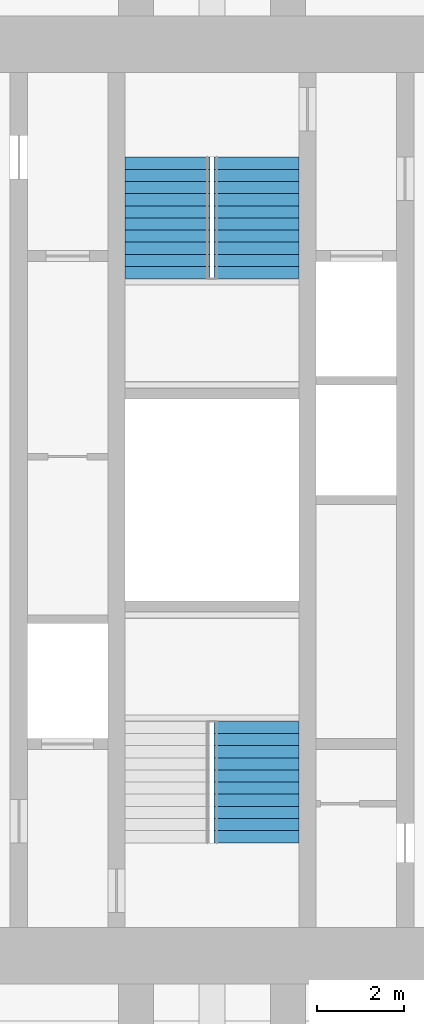
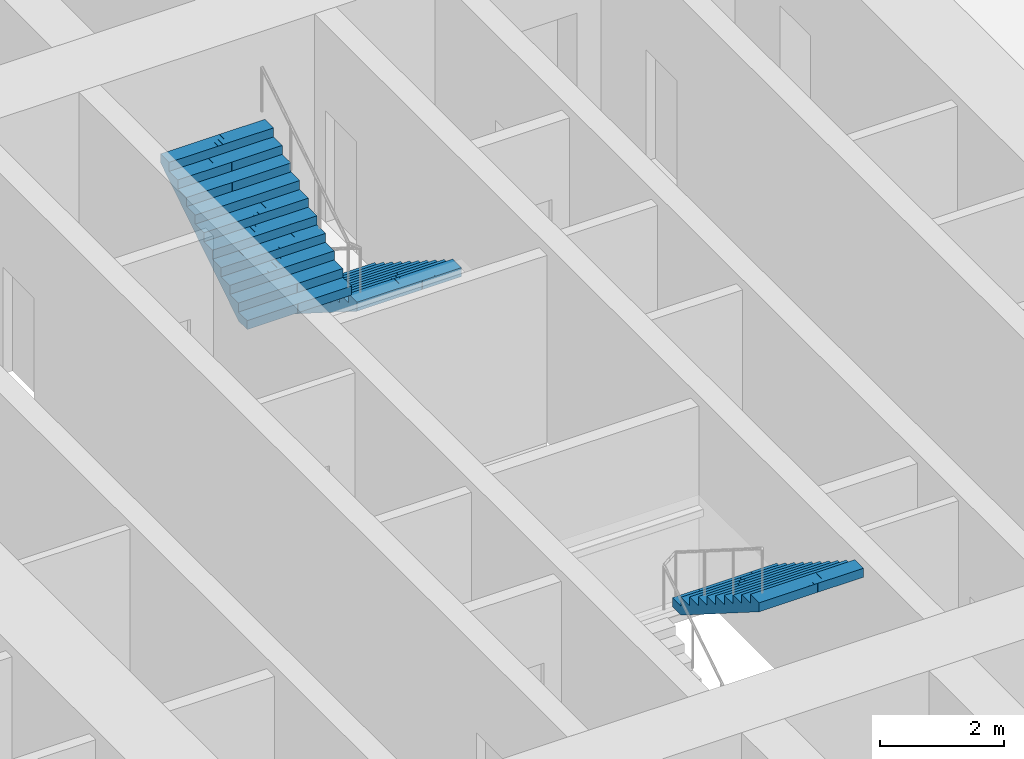
# One storey, part 16 of 17: 3 stair flights, 2 elements without a shape of their own.
"""IFC4 building model written with IfcOpenShell, lengths in metres."""

from ifc_helpers import new_model, si_unit, direction, frame, origin, place, context, subcontext, project, spatial, polyline, outline, extrude, material, type_object, element, aggregate, save


model = new_model("IFC4")

# Units and contexts
model_context = context("Model", 3, precision=1e-05, world=origin(), true_north=direction((0.0, 1.0)))
body_context = subcontext(model_context, "Body", "Model", "MODEL_VIEW")
ifc_project = project(units=[si_unit("LENGTHUNIT", "METRE"), si_unit("AREAUNIT", "SQUARE_METRE"), si_unit("VOLUMEUNIT", "CUBIC_METRE"), si_unit("PLANEANGLEUNIT", "RADIAN"), si_unit("MASSUNIT", "GRAM", prefix="KILO")], contexts=[model_context])

# Site, building, storey
site_placement = place(None, origin())
site = spatial("IfcSite", under=ifc_project, at=site_placement, CompositionType="ELEMENT")
building_placement = place(site_placement, origin())
building = spatial("IfcBuilding", under=site, at=building_placement, Name="Mizan Broadcast Tower", CompositionType="ELEMENT")
storey_placement = place(building_placement, frame((0.0, 0.0, 216.60009765625)))
storey = spatial("IfcBuildingStorey", under=building, at=storey_placement, Name="L50", CompositionType="ELEMENT", Elevation=216.60009765625)

# Stair, stair flight
ifc_material_1 = material(Name="Concrete C40/50", Category="concrete")
stair_type = type_object("IfcStairType", Name="EXIT STAIR", PredefinedType="HALF_TURN_STAIR", material=ifc_material_1)
stair_1_placement = place(storey_placement, origin())
stair_1 = element("IfcStair", 1, at=stair_1_placement, inside=storey, type_object=stair_type, Name="Stair A L50", PredefinedType="HALF_TURN_STAIR")
ifc_material_2 = material(Name="Concrete C40/50", Category="concrete")
stair_flight_type = type_object("IfcStairFlightType", Name="EXIT STAIR FLIGHT", PredefinedType="STRAIGHT", material=ifc_material_2)
stair_flight_1_placement = place(storey_placement, frame((1.02490234375, -5.10009765625, 1.949951171875), z_axis=(0.0, 0.0, 1.0), x_axis=(0.0, -1.0, 0.0)))
stair_flight_1 = element("IfcStairFlight", 2, at=stair_flight_1_placement, type_object=stair_flight_type, Name="A flight 2", NumberOfRisers=11, NumberOfTreads=10, PredefinedType="STRAIGHT", RiserHeight=0.177272727, TreadLength=0.28, context=body_context, shape_type="SweptSolid", body=[
    extrude(outline(polyline([(0.0, 0.0), (0.0, 0.17724609375), (0.280029296875, 0.17724609375), (0.280029296875, 0.3544921875), (0.56005859375, 0.3544921875), (0.56005859375, 0.53173828125), (0.840087890625, 0.53173828125), (0.840087890625, 0.708984375), (1.1201171875, 0.708984375), (1.1201171875, 0.886474609375), (1.39990234375, 0.886474609375), (1.39990234375, 1.063720703125), (1.679931640625, 1.063720703125), (1.679931640625, 1.240966796875), (1.9599609375, 1.240966796875), (1.9599609375, 1.418212890625), (2.239990234375, 1.418212890625), (2.239990234375, 1.595458984375), (2.52001953125, 1.595458984375), (2.52001953125, 1.772705078125), (2.800048828125, 1.772705078125), (2.800048828125, 1.949951171875), (2.800048828125, 1.59521484375), (0.2802734375, 0.0), (0.0, 0.0)])), frame((0.0, 0.97509765625, 0.0), z_axis=(0.0, -1.0, 0.0), x_axis=(1.0, 0.0, 0.0)), (0.0, 0.0, 1.0), 0.4873046875),
    extrude(outline(polyline([(0.0, 0.0), (0.0, 0.17724609375), (0.280029296875, 0.17724609375), (0.280029296875, 0.3544921875), (0.56005859375, 0.3544921875), (0.56005859375, 0.53173828125), (0.840087890625, 0.53173828125), (0.840087890625, 0.708984375), (1.1201171875, 0.708984375), (1.1201171875, 0.886474609375), (1.39990234375, 0.886474609375), (1.39990234375, 1.063720703125), (1.679931640625, 1.063720703125), (1.679931640625, 1.240966796875), (1.9599609375, 1.240966796875), (1.9599609375, 1.418212890625), (2.239990234375, 1.418212890625), (2.239990234375, 1.595458984375), (2.52001953125, 1.595458984375), (2.52001953125, 1.772705078125), (2.800048828125, 1.772705078125), (2.800048828125, 1.949951171875), (2.800048828125, 1.59521484375), (0.2802734375, 0.0), (0.0, 0.0)])), frame((0.0, 0.4873046875, 0.0), z_axis=(0.0, -1.0, 0.0), x_axis=(1.0, 0.0, 0.0)), (0.0, 0.0, 1.0), 0.2431640625),
    extrude(outline(polyline([(0.0, 0.0), (0.0, 0.17724609375), (0.280029296875, 0.17724609375), (0.280029296875, 0.3544921875), (0.56005859375, 0.3544921875), (0.56005859375, 0.53173828125), (0.840087890625, 0.53173828125), (0.840087890625, 0.708984375), (1.1201171875, 0.708984375), (1.1201171875, 0.886474609375), (1.39990234375, 0.886474609375), (1.39990234375, 1.063720703125), (1.679931640625, 1.063720703125), (1.679931640625, 1.240966796875), (1.9599609375, 1.240966796875), (1.9599609375, 1.418212890625), (2.239990234375, 1.418212890625), (2.239990234375, 1.595458984375), (2.52001953125, 1.595458984375), (2.52001953125, 1.772705078125), (2.800048828125, 1.772705078125), (2.800048828125, 1.949951171875), (2.800048828125, 1.59521484375), (0.2802734375, 0.0), (0.0, 0.0)])), frame((0.0, 0.24365234375, 0.0), z_axis=(0.0, -1.0, 0.0), x_axis=(1.0, 0.0, 0.0)), (0.0, 0.0, 1.0), 0.121337890625),
    extrude(outline(polyline([(0.0, 0.0), (0.0, 0.17724609375), (0.280029296875, 0.17724609375), (0.280029296875, 0.3544921875), (0.56005859375, 0.3544921875), (0.56005859375, 0.53173828125), (0.840087890625, 0.53173828125), (0.840087890625, 0.708984375), (1.1201171875, 0.708984375), (1.1201171875, 0.886474609375), (1.39990234375, 0.886474609375), (1.39990234375, 1.063720703125), (1.679931640625, 1.063720703125), (1.679931640625, 1.240966796875), (1.9599609375, 1.240966796875), (1.9599609375, 1.418212890625), (2.239990234375, 1.418212890625), (2.239990234375, 1.595458984375), (2.52001953125, 1.595458984375), (2.52001953125, 1.772705078125), (2.800048828125, 1.772705078125), (2.800048828125, 1.949951171875), (2.800048828125, 1.59521484375), (0.2802734375, 0.0), (0.0, 0.0)])), frame((0.0, 0.121826171875, 0.0), z_axis=(0.0, -1.0, 0.0), x_axis=(1.0, 0.0, 0.0)), (0.0, 0.0, 1.0), 0.060546875),
    extrude(outline(polyline([(0.0, 0.0), (0.0, 0.17724609375), (0.280029296875, 0.17724609375), (0.280029296875, 0.3544921875), (0.56005859375, 0.3544921875), (0.56005859375, 0.53173828125), (0.840087890625, 0.53173828125), (0.840087890625, 0.708984375), (1.1201171875, 0.708984375), (1.1201171875, 0.886474609375), (1.39990234375, 0.886474609375), (1.39990234375, 1.063720703125), (1.679931640625, 1.063720703125), (1.679931640625, 1.240966796875), (1.9599609375, 1.240966796875), (1.9599609375, 1.418212890625), (2.239990234375, 1.418212890625), (2.239990234375, 1.595458984375), (2.52001953125, 1.595458984375), (2.52001953125, 1.772705078125), (2.800048828125, 1.772705078125), (2.800048828125, 1.949951171875), (2.800048828125, 1.59521484375), (0.2802734375, 0.0), (0.0, 0.0)])), frame((0.0, 0.060791015625, 0.0), z_axis=(0.0, -1.0, 0.0), x_axis=(1.0, 0.0, 0.0)), (0.0, 0.0, 1.0), 0.030029296875),
    extrude(outline(polyline([(0.0, 0.0), (0.0, 0.17724609375), (0.280029296875, 0.17724609375), (0.280029296875, 0.3544921875), (0.56005859375, 0.3544921875), (0.56005859375, 0.53173828125), (0.840087890625, 0.53173828125), (0.840087890625, 0.708984375), (1.1201171875, 0.708984375), (1.1201171875, 0.886474609375), (1.39990234375, 0.886474609375), (1.39990234375, 1.063720703125), (1.679931640625, 1.063720703125), (1.679931640625, 1.240966796875), (1.9599609375, 1.240966796875), (1.9599609375, 1.418212890625), (2.239990234375, 1.418212890625), (2.239990234375, 1.595458984375), (2.52001953125, 1.595458984375), (2.52001953125, 1.772705078125), (2.800048828125, 1.772705078125), (2.800048828125, 1.949951171875), (2.800048828125, 1.59521484375), (0.2802734375, 0.0), (0.0, 0.0)])), frame((0.0, 0.0302734375, 0.0), z_axis=(0.0, -1.0, 0.0), x_axis=(1.0, 0.0, 0.0)), (0.0, 0.0, 1.0), 0.060302734375),
    extrude(outline(polyline([(0.0, 0.0), (0.0, 0.17724609375), (0.280029296875, 0.17724609375), (0.280029296875, 0.3544921875), (0.56005859375, 0.3544921875), (0.56005859375, 0.53173828125), (0.840087890625, 0.53173828125), (0.840087890625, 0.708984375), (1.1201171875, 0.708984375), (1.1201171875, 0.886474609375), (1.39990234375, 0.886474609375), (1.39990234375, 1.063720703125), (1.679931640625, 1.063720703125), (1.679931640625, 1.240966796875), (1.9599609375, 1.240966796875), (1.9599609375, 1.418212890625), (2.239990234375, 1.418212890625), (2.239990234375, 1.595458984375), (2.52001953125, 1.595458984375), (2.52001953125, 1.772705078125), (2.800048828125, 1.772705078125), (2.800048828125, 1.949951171875), (2.800048828125, 1.59521484375), (0.2802734375, 0.0), (0.0, 0.0)])), frame((0.0, -0.030517578125, 0.0), z_axis=(0.0, -1.0, 0.0), x_axis=(1.0, 0.0, 0.0)), (0.0, 0.0, 1.0), 0.030029296875),
    extrude(outline(polyline([(0.0, 0.0), (0.0, 0.17724609375), (0.280029296875, 0.17724609375), (0.280029296875, 0.3544921875), (0.56005859375, 0.3544921875), (0.56005859375, 0.53173828125), (0.840087890625, 0.53173828125), (0.840087890625, 0.708984375), (1.1201171875, 0.708984375), (1.1201171875, 0.886474609375), (1.39990234375, 0.886474609375), (1.39990234375, 1.063720703125), (1.679931640625, 1.063720703125), (1.679931640625, 1.240966796875), (1.9599609375, 1.240966796875), (1.9599609375, 1.418212890625), (2.239990234375, 1.418212890625), (2.239990234375, 1.595458984375), (2.52001953125, 1.595458984375), (2.52001953125, 1.772705078125), (2.800048828125, 1.772705078125), (2.800048828125, 1.949951171875), (2.800048828125, 1.59521484375), (0.2802734375, 0.0), (0.0, 0.0)])), frame((0.0, -0.06103515625, 0.0), z_axis=(0.0, -1.0, 0.0), x_axis=(1.0, 0.0, 0.0)), (0.0, 0.0, 1.0), 0.060546875),
    extrude(outline(polyline([(0.0, 0.0), (0.0, 0.17724609375), (0.280029296875, 0.17724609375), (0.280029296875, 0.3544921875), (0.56005859375, 0.3544921875), (0.56005859375, 0.53173828125), (0.840087890625, 0.53173828125), (0.840087890625, 0.708984375), (1.1201171875, 0.708984375), (1.1201171875, 0.886474609375), (1.39990234375, 0.886474609375), (1.39990234375, 1.063720703125), (1.679931640625, 1.063720703125), (1.679931640625, 1.240966796875), (1.9599609375, 1.240966796875), (1.9599609375, 1.418212890625), (2.239990234375, 1.418212890625), (2.239990234375, 1.595458984375), (2.52001953125, 1.595458984375), (2.52001953125, 1.772705078125), (2.800048828125, 1.772705078125), (2.800048828125, 1.949951171875), (2.800048828125, 1.59521484375), (0.2802734375, 0.0), (0.0, 0.0)])), frame((0.0, -0.1220703125, 0.0), z_axis=(0.0, -1.0, 0.0), x_axis=(1.0, 0.0, 0.0)), (0.0, 0.0, 1.0), 0.121337890625),
    extrude(outline(polyline([(0.0, 0.0), (0.0, 0.17724609375), (0.280029296875, 0.17724609375), (0.280029296875, 0.3544921875), (0.56005859375, 0.3544921875), (0.56005859375, 0.53173828125), (0.840087890625, 0.53173828125), (0.840087890625, 0.708984375), (1.1201171875, 0.708984375), (1.1201171875, 0.886474609375), (1.39990234375, 0.886474609375), (1.39990234375, 1.063720703125), (1.679931640625, 1.063720703125), (1.679931640625, 1.240966796875), (1.9599609375, 1.240966796875), (1.9599609375, 1.418212890625), (2.239990234375, 1.418212890625), (2.239990234375, 1.595458984375), (2.52001953125, 1.595458984375), (2.52001953125, 1.772705078125), (2.800048828125, 1.772705078125), (2.800048828125, 1.949951171875), (2.800048828125, 1.59521484375), (0.2802734375, 0.0), (0.0, 0.0)])), frame((0.0, -0.243896484375, 0.0), z_axis=(0.0, -1.0, 0.0), x_axis=(1.0, 0.0, 0.0)), (0.0, 0.0, 1.0), 0.2431640625),
    extrude(outline(polyline([(0.0, 0.0), (0.0, 0.17724609375), (0.280029296875, 0.17724609375), (0.280029296875, 0.3544921875), (0.56005859375, 0.3544921875), (0.56005859375, 0.53173828125), (0.840087890625, 0.53173828125), (0.840087890625, 0.708984375), (1.1201171875, 0.708984375), (1.1201171875, 0.886474609375), (1.39990234375, 0.886474609375), (1.39990234375, 1.063720703125), (1.679931640625, 1.063720703125), (1.679931640625, 1.240966796875), (1.9599609375, 1.240966796875), (1.9599609375, 1.418212890625), (2.239990234375, 1.418212890625), (2.239990234375, 1.595458984375), (2.52001953125, 1.595458984375), (2.52001953125, 1.772705078125), (2.800048828125, 1.772705078125), (2.800048828125, 1.949951171875), (2.800048828125, 1.59521484375), (0.2802734375, 0.0), (0.0, 0.0)])), frame((0.0, -0.487548828125, 0.0), z_axis=(0.0, -1.0, 0.0), x_axis=(1.0, 0.0, 0.0)), (0.0, 0.0, 1.0), 0.4873046875),
])
aggregate(stair_1, [stair_flight_1])

# Stair, stair flights
stair_2_placement = place(storey_placement, origin())
stair_2 = element("IfcStair", 3, at=stair_2_placement, inside=storey, type_object=stair_type, Name="Stair B L50", PredefinedType="HALF_TURN_STAIR")
stair_flight_2_placement = place(storey_placement, frame((1.02490234375, 7.89990234375, 0.0), z_axis=(0.0, 0.0, 1.0), x_axis=(0.0, -1.0, 0.0)))
stair_flight_2 = element("IfcStairFlight", 4, at=stair_flight_2_placement, type_object=stair_flight_type, Name="B flight 1", NumberOfRisers=11, NumberOfTreads=10, PredefinedType="STRAIGHT", RiserHeight=0.177272727, TreadLength=0.28, context=body_context, shape_type="SweptSolid", body=[
    extrude(outline(polyline([(0.0, 0.0), (0.0, 0.17724609375), (0.280029296875, 0.17724609375), (0.280029296875, 0.3544921875), (0.56005859375, 0.3544921875), (0.56005859375, 0.53173828125), (0.840087890625, 0.53173828125), (0.840087890625, 0.708984375), (1.1201171875, 0.708984375), (1.1201171875, 0.886474609375), (1.39990234375, 0.886474609375), (1.39990234375, 1.063720703125), (1.679931640625, 1.063720703125), (1.679931640625, 1.240966796875), (1.9599609375, 1.240966796875), (1.9599609375, 1.418212890625), (2.239990234375, 1.418212890625), (2.239990234375, 1.595458984375), (2.52001953125, 1.595458984375), (2.52001953125, 1.772705078125), (2.800048828125, 1.772705078125), (2.800048828125, 1.949951171875), (2.800048828125, 1.59521484375), (0.2802734375, 0.0), (0.0, 0.0)])), frame((0.0, 0.97509765625, 0.0), z_axis=(0.0, -1.0, 0.0), x_axis=(1.0, 0.0, 0.0)), (0.0, 0.0, 1.0), 0.4873046875),
    extrude(outline(polyline([(0.0, 0.0), (0.0, 0.17724609375), (0.280029296875, 0.17724609375), (0.280029296875, 0.3544921875), (0.56005859375, 0.3544921875), (0.56005859375, 0.53173828125), (0.840087890625, 0.53173828125), (0.840087890625, 0.708984375), (1.1201171875, 0.708984375), (1.1201171875, 0.886474609375), (1.39990234375, 0.886474609375), (1.39990234375, 1.063720703125), (1.679931640625, 1.063720703125), (1.679931640625, 1.240966796875), (1.9599609375, 1.240966796875), (1.9599609375, 1.418212890625), (2.239990234375, 1.418212890625), (2.239990234375, 1.595458984375), (2.52001953125, 1.595458984375), (2.52001953125, 1.772705078125), (2.800048828125, 1.772705078125), (2.800048828125, 1.949951171875), (2.800048828125, 1.59521484375), (0.2802734375, 0.0), (0.0, 0.0)])), frame((0.0, 0.4873046875, 0.0), z_axis=(0.0, -1.0, 0.0), x_axis=(1.0, 0.0, 0.0)), (0.0, 0.0, 1.0), 0.2431640625),
    extrude(outline(polyline([(0.0, 0.0), (0.0, 0.17724609375), (0.280029296875, 0.17724609375), (0.280029296875, 0.3544921875), (0.56005859375, 0.3544921875), (0.56005859375, 0.53173828125), (0.840087890625, 0.53173828125), (0.840087890625, 0.708984375), (1.1201171875, 0.708984375), (1.1201171875, 0.886474609375), (1.39990234375, 0.886474609375), (1.39990234375, 1.063720703125), (1.679931640625, 1.063720703125), (1.679931640625, 1.240966796875), (1.9599609375, 1.240966796875), (1.9599609375, 1.418212890625), (2.239990234375, 1.418212890625), (2.239990234375, 1.595458984375), (2.52001953125, 1.595458984375), (2.52001953125, 1.772705078125), (2.800048828125, 1.772705078125), (2.800048828125, 1.949951171875), (2.800048828125, 1.59521484375), (0.2802734375, 0.0), (0.0, 0.0)])), frame((0.0, 0.24365234375, 0.0), z_axis=(0.0, -1.0, 0.0), x_axis=(1.0, 0.0, 0.0)), (0.0, 0.0, 1.0), 0.121337890625),
    extrude(outline(polyline([(0.0, 0.0), (0.0, 0.17724609375), (0.280029296875, 0.17724609375), (0.280029296875, 0.3544921875), (0.56005859375, 0.3544921875), (0.56005859375, 0.53173828125), (0.840087890625, 0.53173828125), (0.840087890625, 0.708984375), (1.1201171875, 0.708984375), (1.1201171875, 0.886474609375), (1.39990234375, 0.886474609375), (1.39990234375, 1.063720703125), (1.679931640625, 1.063720703125), (1.679931640625, 1.240966796875), (1.9599609375, 1.240966796875), (1.9599609375, 1.418212890625), (2.239990234375, 1.418212890625), (2.239990234375, 1.595458984375), (2.52001953125, 1.595458984375), (2.52001953125, 1.772705078125), (2.800048828125, 1.772705078125), (2.800048828125, 1.949951171875), (2.800048828125, 1.59521484375), (0.2802734375, 0.0), (0.0, 0.0)])), frame((0.0, 0.121826171875, 0.0), z_axis=(0.0, -1.0, 0.0), x_axis=(1.0, 0.0, 0.0)), (0.0, 0.0, 1.0), 0.060546875),
    extrude(outline(polyline([(0.0, 0.0), (0.0, 0.17724609375), (0.280029296875, 0.17724609375), (0.280029296875, 0.3544921875), (0.56005859375, 0.3544921875), (0.56005859375, 0.53173828125), (0.840087890625, 0.53173828125), (0.840087890625, 0.708984375), (1.1201171875, 0.708984375), (1.1201171875, 0.886474609375), (1.39990234375, 0.886474609375), (1.39990234375, 1.063720703125), (1.679931640625, 1.063720703125), (1.679931640625, 1.240966796875), (1.9599609375, 1.240966796875), (1.9599609375, 1.418212890625), (2.239990234375, 1.418212890625), (2.239990234375, 1.595458984375), (2.52001953125, 1.595458984375), (2.52001953125, 1.772705078125), (2.800048828125, 1.772705078125), (2.800048828125, 1.949951171875), (2.800048828125, 1.59521484375), (0.2802734375, 0.0), (0.0, 0.0)])), frame((0.0, 0.060791015625, 0.0), z_axis=(0.0, -1.0, 0.0), x_axis=(1.0, 0.0, 0.0)), (0.0, 0.0, 1.0), 0.030029296875),
    extrude(outline(polyline([(0.0, 0.0), (0.0, 0.17724609375), (0.280029296875, 0.17724609375), (0.280029296875, 0.3544921875), (0.56005859375, 0.3544921875), (0.56005859375, 0.53173828125), (0.840087890625, 0.53173828125), (0.840087890625, 0.708984375), (1.1201171875, 0.708984375), (1.1201171875, 0.886474609375), (1.39990234375, 0.886474609375), (1.39990234375, 1.063720703125), (1.679931640625, 1.063720703125), (1.679931640625, 1.240966796875), (1.9599609375, 1.240966796875), (1.9599609375, 1.418212890625), (2.239990234375, 1.418212890625), (2.239990234375, 1.595458984375), (2.52001953125, 1.595458984375), (2.52001953125, 1.772705078125), (2.800048828125, 1.772705078125), (2.800048828125, 1.949951171875), (2.800048828125, 1.59521484375), (0.2802734375, 0.0), (0.0, 0.0)])), frame((0.0, 0.0302734375, 0.0), z_axis=(0.0, -1.0, 0.0), x_axis=(1.0, 0.0, 0.0)), (0.0, 0.0, 1.0), 0.060302734375),
    extrude(outline(polyline([(0.0, 0.0), (0.0, 0.17724609375), (0.280029296875, 0.17724609375), (0.280029296875, 0.3544921875), (0.56005859375, 0.3544921875), (0.56005859375, 0.53173828125), (0.840087890625, 0.53173828125), (0.840087890625, 0.708984375), (1.1201171875, 0.708984375), (1.1201171875, 0.886474609375), (1.39990234375, 0.886474609375), (1.39990234375, 1.063720703125), (1.679931640625, 1.063720703125), (1.679931640625, 1.240966796875), (1.9599609375, 1.240966796875), (1.9599609375, 1.418212890625), (2.239990234375, 1.418212890625), (2.239990234375, 1.595458984375), (2.52001953125, 1.595458984375), (2.52001953125, 1.772705078125), (2.800048828125, 1.772705078125), (2.800048828125, 1.949951171875), (2.800048828125, 1.59521484375), (0.2802734375, 0.0), (0.0, 0.0)])), frame((0.0, -0.030517578125, 0.0), z_axis=(0.0, -1.0, 0.0), x_axis=(1.0, 0.0, 0.0)), (0.0, 0.0, 1.0), 0.030029296875),
    extrude(outline(polyline([(0.0, 0.0), (0.0, 0.17724609375), (0.280029296875, 0.17724609375), (0.280029296875, 0.3544921875), (0.56005859375, 0.3544921875), (0.56005859375, 0.53173828125), (0.840087890625, 0.53173828125), (0.840087890625, 0.708984375), (1.1201171875, 0.708984375), (1.1201171875, 0.886474609375), (1.39990234375, 0.886474609375), (1.39990234375, 1.063720703125), (1.679931640625, 1.063720703125), (1.679931640625, 1.240966796875), (1.9599609375, 1.240966796875), (1.9599609375, 1.418212890625), (2.239990234375, 1.418212890625), (2.239990234375, 1.595458984375), (2.52001953125, 1.595458984375), (2.52001953125, 1.772705078125), (2.800048828125, 1.772705078125), (2.800048828125, 1.949951171875), (2.800048828125, 1.59521484375), (0.2802734375, 0.0), (0.0, 0.0)])), frame((0.0, -0.06103515625, 0.0), z_axis=(0.0, -1.0, 0.0), x_axis=(1.0, 0.0, 0.0)), (0.0, 0.0, 1.0), 0.060546875),
    extrude(outline(polyline([(0.0, 0.0), (0.0, 0.17724609375), (0.280029296875, 0.17724609375), (0.280029296875, 0.3544921875), (0.56005859375, 0.3544921875), (0.56005859375, 0.53173828125), (0.840087890625, 0.53173828125), (0.840087890625, 0.708984375), (1.1201171875, 0.708984375), (1.1201171875, 0.886474609375), (1.39990234375, 0.886474609375), (1.39990234375, 1.063720703125), (1.679931640625, 1.063720703125), (1.679931640625, 1.240966796875), (1.9599609375, 1.240966796875), (1.9599609375, 1.418212890625), (2.239990234375, 1.418212890625), (2.239990234375, 1.595458984375), (2.52001953125, 1.595458984375), (2.52001953125, 1.772705078125), (2.800048828125, 1.772705078125), (2.800048828125, 1.949951171875), (2.800048828125, 1.59521484375), (0.2802734375, 0.0), (0.0, 0.0)])), frame((0.0, -0.1220703125, 0.0), z_axis=(0.0, -1.0, 0.0), x_axis=(1.0, 0.0, 0.0)), (0.0, 0.0, 1.0), 0.121337890625),
    extrude(outline(polyline([(0.0, 0.0), (0.0, 0.17724609375), (0.280029296875, 0.17724609375), (0.280029296875, 0.3544921875), (0.56005859375, 0.3544921875), (0.56005859375, 0.53173828125), (0.840087890625, 0.53173828125), (0.840087890625, 0.708984375), (1.1201171875, 0.708984375), (1.1201171875, 0.886474609375), (1.39990234375, 0.886474609375), (1.39990234375, 1.063720703125), (1.679931640625, 1.063720703125), (1.679931640625, 1.240966796875), (1.9599609375, 1.240966796875), (1.9599609375, 1.418212890625), (2.239990234375, 1.418212890625), (2.239990234375, 1.595458984375), (2.52001953125, 1.595458984375), (2.52001953125, 1.772705078125), (2.800048828125, 1.772705078125), (2.800048828125, 1.949951171875), (2.800048828125, 1.59521484375), (0.2802734375, 0.0), (0.0, 0.0)])), frame((0.0, -0.243896484375, 0.0), z_axis=(0.0, -1.0, 0.0), x_axis=(1.0, 0.0, 0.0)), (0.0, 0.0, 1.0), 0.2431640625),
    extrude(outline(polyline([(0.0, 0.0), (0.0, 0.17724609375), (0.280029296875, 0.17724609375), (0.280029296875, 0.3544921875), (0.56005859375, 0.3544921875), (0.56005859375, 0.53173828125), (0.840087890625, 0.53173828125), (0.840087890625, 0.708984375), (1.1201171875, 0.708984375), (1.1201171875, 0.886474609375), (1.39990234375, 0.886474609375), (1.39990234375, 1.063720703125), (1.679931640625, 1.063720703125), (1.679931640625, 1.240966796875), (1.9599609375, 1.240966796875), (1.9599609375, 1.418212890625), (2.239990234375, 1.418212890625), (2.239990234375, 1.595458984375), (2.52001953125, 1.595458984375), (2.52001953125, 1.772705078125), (2.800048828125, 1.772705078125), (2.800048828125, 1.949951171875), (2.800048828125, 1.59521484375), (0.2802734375, 0.0), (0.0, 0.0)])), frame((0.0, -0.487548828125, 0.0), z_axis=(0.0, -1.0, 0.0), x_axis=(1.0, 0.0, 0.0)), (0.0, 0.0, 1.0), 0.4873046875),
])
stair_flight_3_placement = place(storey_placement, frame((-1.02490234375, 5.10009765625, 1.949951171875), z_axis=(0.0, 0.0, 1.0), x_axis=(0.0, 1.0, 0.0)))
stair_flight_3 = element("IfcStairFlight", 5, at=stair_flight_3_placement, type_object=stair_flight_type, Name="B flight 2", NumberOfRisers=11, NumberOfTreads=10, PredefinedType="STRAIGHT", RiserHeight=0.177272727, TreadLength=0.28, context=body_context, shape_type="SweptSolid", body=[
    extrude(outline(polyline([(0.0, 0.0), (0.0, 0.17724609375), (0.280029296875, 0.17724609375), (0.280029296875, 0.3544921875), (0.56005859375, 0.3544921875), (0.56005859375, 0.53173828125), (0.840087890625, 0.53173828125), (0.840087890625, 0.708984375), (1.1201171875, 0.708984375), (1.1201171875, 0.886474609375), (1.39990234375, 0.886474609375), (1.39990234375, 1.063720703125), (1.679931640625, 1.063720703125), (1.679931640625, 1.240966796875), (1.9599609375, 1.240966796875), (1.9599609375, 1.418212890625), (2.239990234375, 1.418212890625), (2.239990234375, 1.595458984375), (2.52001953125, 1.595458984375), (2.52001953125, 1.772705078125), (2.800048828125, 1.772705078125), (2.800048828125, 1.949951171875), (2.800048828125, 1.59521484375), (0.2802734375, 0.0), (0.0, 0.0)])), frame((0.0, 0.97509765625, 0.0), z_axis=(0.0, -1.0, 0.0), x_axis=(1.0, 0.0, 0.0)), (0.0, 0.0, 1.0), 0.4873046875),
    extrude(outline(polyline([(0.0, 0.0), (0.0, 0.17724609375), (0.280029296875, 0.17724609375), (0.280029296875, 0.3544921875), (0.56005859375, 0.3544921875), (0.56005859375, 0.53173828125), (0.840087890625, 0.53173828125), (0.840087890625, 0.708984375), (1.1201171875, 0.708984375), (1.1201171875, 0.886474609375), (1.39990234375, 0.886474609375), (1.39990234375, 1.063720703125), (1.679931640625, 1.063720703125), (1.679931640625, 1.240966796875), (1.9599609375, 1.240966796875), (1.9599609375, 1.418212890625), (2.239990234375, 1.418212890625), (2.239990234375, 1.595458984375), (2.52001953125, 1.595458984375), (2.52001953125, 1.772705078125), (2.800048828125, 1.772705078125), (2.800048828125, 1.949951171875), (2.800048828125, 1.59521484375), (0.2802734375, 0.0), (0.0, 0.0)])), frame((0.0, 0.4873046875, 0.0), z_axis=(0.0, -1.0, 0.0), x_axis=(1.0, 0.0, 0.0)), (0.0, 0.0, 1.0), 0.2431640625),
    extrude(outline(polyline([(0.0, 0.0), (0.0, 0.17724609375), (0.280029296875, 0.17724609375), (0.280029296875, 0.3544921875), (0.56005859375, 0.3544921875), (0.56005859375, 0.53173828125), (0.840087890625, 0.53173828125), (0.840087890625, 0.708984375), (1.1201171875, 0.708984375), (1.1201171875, 0.886474609375), (1.39990234375, 0.886474609375), (1.39990234375, 1.063720703125), (1.679931640625, 1.063720703125), (1.679931640625, 1.240966796875), (1.9599609375, 1.240966796875), (1.9599609375, 1.418212890625), (2.239990234375, 1.418212890625), (2.239990234375, 1.595458984375), (2.52001953125, 1.595458984375), (2.52001953125, 1.772705078125), (2.800048828125, 1.772705078125), (2.800048828125, 1.949951171875), (2.800048828125, 1.59521484375), (0.2802734375, 0.0), (0.0, 0.0)])), frame((0.0, 0.24365234375, 0.0), z_axis=(0.0, -1.0, 0.0), x_axis=(1.0, 0.0, 0.0)), (0.0, 0.0, 1.0), 0.121337890625),
    extrude(outline(polyline([(0.0, 0.0), (0.0, 0.17724609375), (0.280029296875, 0.17724609375), (0.280029296875, 0.3544921875), (0.56005859375, 0.3544921875), (0.56005859375, 0.53173828125), (0.840087890625, 0.53173828125), (0.840087890625, 0.708984375), (1.1201171875, 0.708984375), (1.1201171875, 0.886474609375), (1.39990234375, 0.886474609375), (1.39990234375, 1.063720703125), (1.679931640625, 1.063720703125), (1.679931640625, 1.240966796875), (1.9599609375, 1.240966796875), (1.9599609375, 1.418212890625), (2.239990234375, 1.418212890625), (2.239990234375, 1.595458984375), (2.52001953125, 1.595458984375), (2.52001953125, 1.772705078125), (2.800048828125, 1.772705078125), (2.800048828125, 1.949951171875), (2.800048828125, 1.59521484375), (0.2802734375, 0.0), (0.0, 0.0)])), frame((0.0, 0.121826171875, 0.0), z_axis=(0.0, -1.0, 0.0), x_axis=(1.0, 0.0, 0.0)), (0.0, 0.0, 1.0), 0.060546875),
    extrude(outline(polyline([(0.0, 0.0), (0.0, 0.17724609375), (0.280029296875, 0.17724609375), (0.280029296875, 0.3544921875), (0.56005859375, 0.3544921875), (0.56005859375, 0.53173828125), (0.840087890625, 0.53173828125), (0.840087890625, 0.708984375), (1.1201171875, 0.708984375), (1.1201171875, 0.886474609375), (1.39990234375, 0.886474609375), (1.39990234375, 1.063720703125), (1.679931640625, 1.063720703125), (1.679931640625, 1.240966796875), (1.9599609375, 1.240966796875), (1.9599609375, 1.418212890625), (2.239990234375, 1.418212890625), (2.239990234375, 1.595458984375), (2.52001953125, 1.595458984375), (2.52001953125, 1.772705078125), (2.800048828125, 1.772705078125), (2.800048828125, 1.949951171875), (2.800048828125, 1.59521484375), (0.2802734375, 0.0), (0.0, 0.0)])), frame((0.0, 0.060791015625, 0.0), z_axis=(0.0, -1.0, 0.0), x_axis=(1.0, 0.0, 0.0)), (0.0, 0.0, 1.0), 0.030029296875),
    extrude(outline(polyline([(0.0, 0.0), (0.0, 0.17724609375), (0.280029296875, 0.17724609375), (0.280029296875, 0.3544921875), (0.56005859375, 0.3544921875), (0.56005859375, 0.53173828125), (0.840087890625, 0.53173828125), (0.840087890625, 0.708984375), (1.1201171875, 0.708984375), (1.1201171875, 0.886474609375), (1.39990234375, 0.886474609375), (1.39990234375, 1.063720703125), (1.679931640625, 1.063720703125), (1.679931640625, 1.240966796875), (1.9599609375, 1.240966796875), (1.9599609375, 1.418212890625), (2.239990234375, 1.418212890625), (2.239990234375, 1.595458984375), (2.52001953125, 1.595458984375), (2.52001953125, 1.772705078125), (2.800048828125, 1.772705078125), (2.800048828125, 1.949951171875), (2.800048828125, 1.59521484375), (0.2802734375, 0.0), (0.0, 0.0)])), frame((0.0, 0.0302734375, 0.0), z_axis=(0.0, -1.0, 0.0), x_axis=(1.0, 0.0, 0.0)), (0.0, 0.0, 1.0), 0.060302734375),
    extrude(outline(polyline([(0.0, 0.0), (0.0, 0.17724609375), (0.280029296875, 0.17724609375), (0.280029296875, 0.3544921875), (0.56005859375, 0.3544921875), (0.56005859375, 0.53173828125), (0.840087890625, 0.53173828125), (0.840087890625, 0.708984375), (1.1201171875, 0.708984375), (1.1201171875, 0.886474609375), (1.39990234375, 0.886474609375), (1.39990234375, 1.063720703125), (1.679931640625, 1.063720703125), (1.679931640625, 1.240966796875), (1.9599609375, 1.240966796875), (1.9599609375, 1.418212890625), (2.239990234375, 1.418212890625), (2.239990234375, 1.595458984375), (2.52001953125, 1.595458984375), (2.52001953125, 1.772705078125), (2.800048828125, 1.772705078125), (2.800048828125, 1.949951171875), (2.800048828125, 1.59521484375), (0.2802734375, 0.0), (0.0, 0.0)])), frame((0.0, -0.030517578125, 0.0), z_axis=(0.0, -1.0, 0.0), x_axis=(1.0, 0.0, 0.0)), (0.0, 0.0, 1.0), 0.030029296875),
    extrude(outline(polyline([(0.0, 0.0), (0.0, 0.17724609375), (0.280029296875, 0.17724609375), (0.280029296875, 0.3544921875), (0.56005859375, 0.3544921875), (0.56005859375, 0.53173828125), (0.840087890625, 0.53173828125), (0.840087890625, 0.708984375), (1.1201171875, 0.708984375), (1.1201171875, 0.886474609375), (1.39990234375, 0.886474609375), (1.39990234375, 1.063720703125), (1.679931640625, 1.063720703125), (1.679931640625, 1.240966796875), (1.9599609375, 1.240966796875), (1.9599609375, 1.418212890625), (2.239990234375, 1.418212890625), (2.239990234375, 1.595458984375), (2.52001953125, 1.595458984375), (2.52001953125, 1.772705078125), (2.800048828125, 1.772705078125), (2.800048828125, 1.949951171875), (2.800048828125, 1.59521484375), (0.2802734375, 0.0), (0.0, 0.0)])), frame((0.0, -0.06103515625, 0.0), z_axis=(0.0, -1.0, 0.0), x_axis=(1.0, 0.0, 0.0)), (0.0, 0.0, 1.0), 0.060546875),
    extrude(outline(polyline([(0.0, 0.0), (0.0, 0.17724609375), (0.280029296875, 0.17724609375), (0.280029296875, 0.3544921875), (0.56005859375, 0.3544921875), (0.56005859375, 0.53173828125), (0.840087890625, 0.53173828125), (0.840087890625, 0.708984375), (1.1201171875, 0.708984375), (1.1201171875, 0.886474609375), (1.39990234375, 0.886474609375), (1.39990234375, 1.063720703125), (1.679931640625, 1.063720703125), (1.679931640625, 1.240966796875), (1.9599609375, 1.240966796875), (1.9599609375, 1.418212890625), (2.239990234375, 1.418212890625), (2.239990234375, 1.595458984375), (2.52001953125, 1.595458984375), (2.52001953125, 1.772705078125), (2.800048828125, 1.772705078125), (2.800048828125, 1.949951171875), (2.800048828125, 1.59521484375), (0.2802734375, 0.0), (0.0, 0.0)])), frame((0.0, -0.1220703125, 0.0), z_axis=(0.0, -1.0, 0.0), x_axis=(1.0, 0.0, 0.0)), (0.0, 0.0, 1.0), 0.121337890625),
    extrude(outline(polyline([(0.0, 0.0), (0.0, 0.17724609375), (0.280029296875, 0.17724609375), (0.280029296875, 0.3544921875), (0.56005859375, 0.3544921875), (0.56005859375, 0.53173828125), (0.840087890625, 0.53173828125), (0.840087890625, 0.708984375), (1.1201171875, 0.708984375), (1.1201171875, 0.886474609375), (1.39990234375, 0.886474609375), (1.39990234375, 1.063720703125), (1.679931640625, 1.063720703125), (1.679931640625, 1.240966796875), (1.9599609375, 1.240966796875), (1.9599609375, 1.418212890625), (2.239990234375, 1.418212890625), (2.239990234375, 1.595458984375), (2.52001953125, 1.595458984375), (2.52001953125, 1.772705078125), (2.800048828125, 1.772705078125), (2.800048828125, 1.949951171875), (2.800048828125, 1.59521484375), (0.2802734375, 0.0), (0.0, 0.0)])), frame((0.0, -0.243896484375, 0.0), z_axis=(0.0, -1.0, 0.0), x_axis=(1.0, 0.0, 0.0)), (0.0, 0.0, 1.0), 0.2431640625),
    extrude(outline(polyline([(0.0, 0.0), (0.0, 0.17724609375), (0.280029296875, 0.17724609375), (0.280029296875, 0.3544921875), (0.56005859375, 0.3544921875), (0.56005859375, 0.53173828125), (0.840087890625, 0.53173828125), (0.840087890625, 0.708984375), (1.1201171875, 0.708984375), (1.1201171875, 0.886474609375), (1.39990234375, 0.886474609375), (1.39990234375, 1.063720703125), (1.679931640625, 1.063720703125), (1.679931640625, 1.240966796875), (1.9599609375, 1.240966796875), (1.9599609375, 1.418212890625), (2.239990234375, 1.418212890625), (2.239990234375, 1.595458984375), (2.52001953125, 1.595458984375), (2.52001953125, 1.772705078125), (2.800048828125, 1.772705078125), (2.800048828125, 1.949951171875), (2.800048828125, 1.59521484375), (0.2802734375, 0.0), (0.0, 0.0)])), frame((0.0, -0.487548828125, 0.0), z_axis=(0.0, -1.0, 0.0), x_axis=(1.0, 0.0, 0.0)), (0.0, 0.0, 1.0), 0.4873046875),
])
aggregate(stair_2, [stair_flight_2, stair_flight_3])

save(model, "model.ifc")
